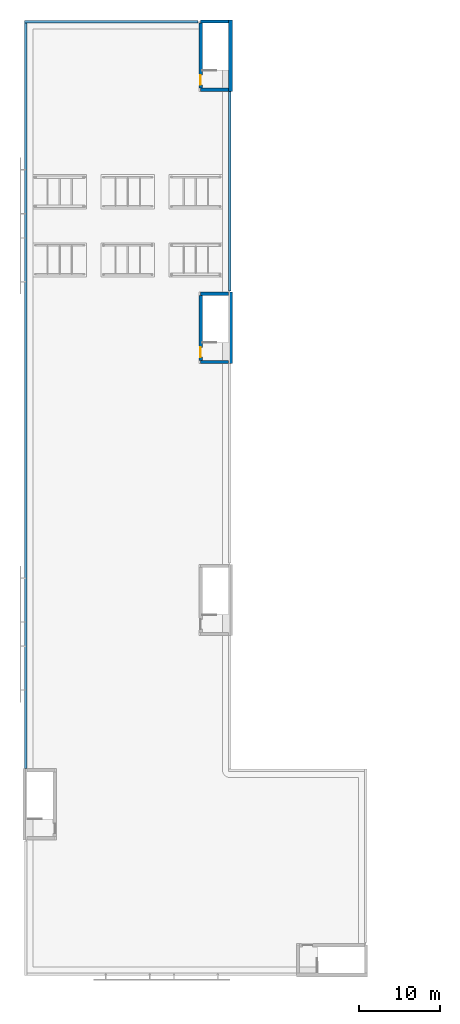
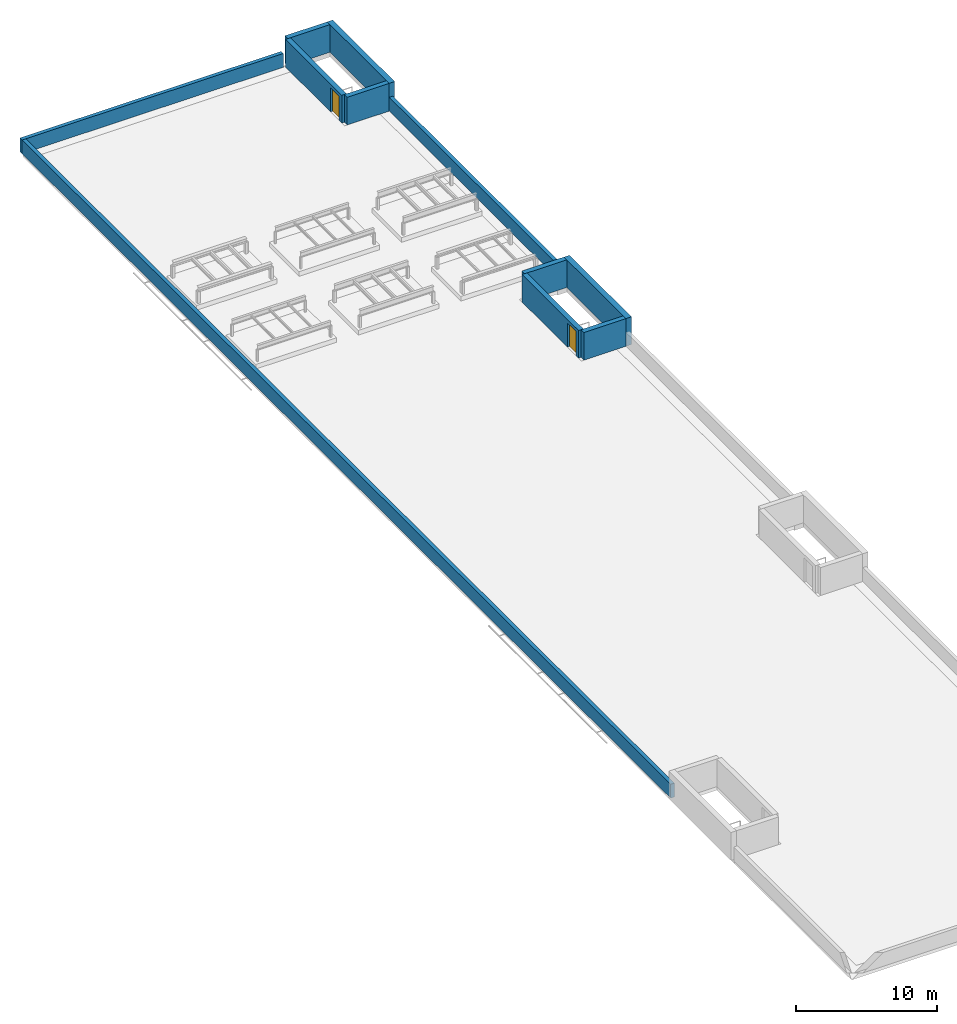
# One storey, part 12 of 18: 11 walls, 2 doors, 2 openings.
"""IFC4 building model written with IfcOpenShell, lengths in metres."""

from ifc_helpers import new_model, si_unit, direction, frame, frame_2d, origin, place, context, subcontext, project, spatial, rectangle, extrude, material, layer, layer_set, type_object, element, fill, save


model = new_model("IFC4")

# Units and contexts
model_context = context("Model", 3, precision=1e-05, world=origin(), true_north=direction((0.0, 1.0)))
body_context = subcontext(model_context, "Body", "Model", "MODEL_VIEW")
ifc_project = project(units=[si_unit("LENGTHUNIT", "METRE"), si_unit("AREAUNIT", "SQUARE_METRE"), si_unit("VOLUMEUNIT", "CUBIC_METRE"), si_unit("PLANEANGLEUNIT", "RADIAN"), si_unit("MASSUNIT", "GRAM", prefix="KILO")], contexts=[model_context])

# Site, building, storey
site_placement = place(None, origin())
site = spatial("IfcSite", under=ifc_project, at=site_placement, CompositionType="ELEMENT")
building_placement = place(site_placement, origin())
building = spatial("IfcBuilding", under=site, at=building_placement, Name="Yavir Park General Hospital", CompositionType="ELEMENT")
storey_placement = place(building_placement, frame((0.0, 0.0, 29.699951171875)))
storey = spatial("IfcBuildingStorey", under=building, at=storey_placement, Name="RF", CompositionType="ELEMENT", Elevation=29.699951171875)

# Walls
ifc_material_1 = material(Name="Concrete C35/45", Category="concrete")
ifc_layer_1 = layer(ifc_material_1, 0.39990234375)
ifc_layer_set_1 = layer_set([ifc_layer_1], Name="Concrete C35/45")
wall_type_1 = type_object("IfcWallType", Name="Reinforced concrete core wall 400, REI 150", PredefinedType="SHEAR", material=ifc_layer_set_1)
for number, where, z_axis, x_axis, name in (
    (1, (25.050048828125, 75.60009765625, 0.0), (0.0, 0.0, 1.0), (-1.0, 0.0, 0.0), "Head-house end wall SW2 E1"),
    (2, (25.050048828125, 84.0, 0.0), (0.0, 0.0, 1.0), (-1.0, 0.0, 0.0), "Head-house end wall SW2 E2"),
):
    element("IfcWall", number, at=place(storey_placement, frame(where, z_axis=z_axis, x_axis=x_axis)), inside=storey, type_object=wall_type_1, Name=name, PredefinedType="SHEAR", context=body_context, shape_type="SweptSolid", body=[
        extrude(rectangle(XDim=3.449951171875, YDim=0.39990234375, at=frame_2d((1.72509765625, 0.0))), origin(), (0.0, 0.0, 1.0), 2.400146484375),
    ])

# Wall, opening, door
wall_1_placement = place(storey_placement, frame((21.60009765625, 75.800048828125, 0.0), z_axis=(0.0, 0.0, 1.0), x_axis=(0.0, 1.0, 0.0)))
wall_1 = element("IfcWall", 3, at=wall_1_placement, inside=storey, type_object=wall_type_1, Name="Head-house landing wall SW2", PredefinedType="SHEAR", context=body_context, shape_type="SweptSolid", body=[
    extrude(rectangle(XDim=8.0, YDim=0.39990234375, at=frame_2d((4.0, 0.0))), origin(), (0.0, 0.0, 1.0), 2.400146484375),
])
opening_1_placement = place(wall_1_placement, frame((0.39990234375, 0.0, 0.0)))
opening_1 = element("IfcOpeningElement", 4, at=opening_1_placement, cuts=wall_1, Name="Opening RF.X07", PredefinedType="OPENING", context=body_context, shape_type="SweptSolid", body=[
    extrude(rectangle(XDim=1.199951171875, YDim=2.10009765625, at=frame_2d((0.60009765625, 1.050048828125))), frame((0.0, 0.2099609375, 0.0), z_axis=(0.0, -1.0, 0.0), x_axis=(1.0, 0.0, 0.0)), (0.0, 0.0, 1.0), 0.419921875),
])
ifc_material_2 = material(Name="Steel frame, fire-resisting timber leaf", Category="steel")
door_type = type_object("IfcDoorType", Name="Fire door 1200 x 2100, EI 60", OperationType="SINGLE_SWING_LEFT", PredefinedType="DOOR", material=ifc_material_2)
door_1_placement = place(opening_1_placement, origin())
door_1 = element("IfcDoor", 5, at=door_1_placement, inside=storey, type_object=door_type, Name="RF.X07", OperationType="SINGLE_SWING_RIGHT", OverallHeight=2.10009765625, OverallWidth=1.199951171875, PredefinedType="DOOR", context=body_context, shape_type="SweptSolid", body=[
    extrude(rectangle(XDim=1.199951171875, YDim=2.10009765625, at=frame_2d((0.60009765625, 1.050048828125))), frame((0.0, 0.02490234375, 0.0), z_axis=(0.0, -1.0, 0.0), x_axis=(1.0, 0.0, 0.0)), (0.0, 0.0, 1.0), 0.050048828125),
])
fill(opening_1, door_1)

# Walls
for number, where, z_axis, x_axis, name in (
    (6, (25.050048828125, 109.199951171875, 0.0), (0.0, 0.0, 1.0), (-1.0, 0.0, 0.0), "Head-house end wall SW3 E1"),
    (7, (25.050048828125, 117.60009765625, 0.0), (0.0, 0.0, 1.0), (-1.0, 0.0, 0.0), "Head-house end wall SW3 E2"),
):
    element("IfcWall", number, at=place(storey_placement, frame(where, z_axis=z_axis, x_axis=x_axis)), inside=storey, type_object=wall_type_1, Name=name, PredefinedType="SHEAR", context=body_context, shape_type="SweptSolid", body=[
        extrude(rectangle(XDim=3.449951171875, YDim=0.39990234375, at=frame_2d((1.72509765625, 0.0))), origin(), (0.0, 0.0, 1.0), 2.400146484375),
    ])

# Wall, opening, door
wall_2_placement = place(storey_placement, frame((21.60009765625, 109.39990234375, 0.0), z_axis=(0.0, 0.0, 1.0), x_axis=(0.0, 1.0, 0.0)))
wall_2 = element("IfcWall", 8, at=wall_2_placement, inside=storey, type_object=wall_type_1, Name="Head-house landing wall SW3", PredefinedType="SHEAR", context=body_context, shape_type="SweptSolid", body=[
    extrude(rectangle(XDim=8.0, YDim=0.39990234375, at=frame_2d((4.0, 0.0))), origin(), (0.0, 0.0, 1.0), 2.400146484375),
])
opening_2_placement = place(wall_2_placement, frame((0.39990234375, 0.0, 0.0)))
opening_2 = element("IfcOpeningElement", 9, at=opening_2_placement, cuts=wall_2, Name="Opening RF.X08", PredefinedType="OPENING", context=body_context, shape_type="SweptSolid", body=[
    extrude(rectangle(XDim=1.199951171875, YDim=2.10009765625, at=frame_2d((0.60009765625, 1.050048828125))), frame((0.0, 0.2099609375, 0.0), z_axis=(0.0, -1.0, 0.0), x_axis=(1.0, 0.0, 0.0)), (0.0, 0.0, 1.0), 0.419921875),
])
door_2_placement = place(opening_2_placement, origin())
door_2 = element("IfcDoor", 10, at=door_2_placement, inside=storey, type_object=door_type, Name="RF.X08", OperationType="SINGLE_SWING_RIGHT", OverallHeight=2.10009765625, OverallWidth=1.199951171875, PredefinedType="DOOR", context=body_context, shape_type="SweptSolid", body=[
    extrude(rectangle(XDim=1.199951171875, YDim=2.10009765625, at=frame_2d((0.60009765625, 1.050048828125))), frame((0.0, 0.02490234375, 0.0), z_axis=(0.0, -1.0, 0.0), x_axis=(1.0, 0.0, 0.0)), (0.0, 0.0, 1.0), 0.050048828125),
])
fill(opening_2, door_2)

# Walls
ifc_material_3 = material(Name="Concrete C30/37", Category="concrete")
ifc_layer_2 = layer(ifc_material_3, 0.300048828125)
ifc_layer_set_2 = layer_set([ifc_layer_2], Name="Concrete C30/37")
wall_type_2 = type_object("IfcWallType", Name="Roof parapet 300 x 1200", PredefinedType="PARAPET", material=ifc_layer_set_2)
wall_3_placement = place(storey_placement, frame((25.199951171875, 84.35009765625, 0.0), z_axis=(0.0, 0.0, 1.0), x_axis=(0.0, 1.0, 0.0)))
element("IfcWall", 11, at=wall_3_placement, inside=storey, type_object=wall_type_2, Name="Parapet L060-0.2.0", PredefinedType="PARAPET", context=body_context, shape_type="SweptSolid", body=[
    extrude(rectangle(XDim=24.64990234375, YDim=0.300048828125, at=frame_2d((12.324951171875, 0.0))), origin(), (0.0, 0.0, 1.0), 1.199951171875),
])
wall_4_placement = place(storey_placement, frame((21.25, 117.60009765625, 0.0), z_axis=(0.0, 0.0, 1.0), x_axis=(-1.0, 0.0, 0.0)))
element("IfcWall", 12, at=wall_4_placement, inside=storey, type_object=wall_type_2, Name="Parapet L060-0.3.0", PredefinedType="PARAPET", context=body_context, shape_type="SweptSolid", body=[
    extrude(rectangle(XDim=21.39990234375, YDim=0.300048828125, at=frame_2d((10.699951171875, 0.0))), origin(), (0.0, 0.0, 1.0), 1.199951171875),
])
wall_5_placement = place(storey_placement, frame((0.0, 117.449951171875, 0.0), z_axis=(0.0, 0.0, 1.0), x_axis=(0.0, -1.0, 0.0)))
element("IfcWall", 13, at=wall_5_placement, inside=storey, type_object=wall_type_2, Name="Parapet L060-0.3.1", PredefinedType="PARAPET", context=body_context, shape_type="SweptSolid", body=[
    extrude(rectangle(XDim=92.050048828125, YDim=0.300048828125, at=frame_2d((46.02490234375, 0.0))), origin(), (0.0, 0.0, 1.0), 1.199951171875),
])
ifc_material_4 = material(Name="Concrete C30/37 precast panel with 150 mm mineral wool insulation", Category="concrete")
ifc_layer_3 = layer(ifc_material_4, 0.449951171875)
ifc_layer_set_3 = layer_set([ifc_layer_3], Name="Concrete C30/37 precast panel with 150 mm mineral wool insulation")
wall_type_3 = type_object("IfcWallType", Name="Stair enclosure wall 450, REI 150", PredefinedType="SOLIDWALL", material=ifc_layer_set_3)
for number, where, z_axis, x_axis, name in (
    (14, (25.27490234375, 75.39990234375, 0.0), (0.0, 0.0, 1.0), (0.0, 1.0, 0.0), "Head-house facade wall SW2"),
    (15, (25.27490234375, 109.0, 0.0), (0.0, 0.0, 1.0), (0.0, 1.0, 0.0), "Head-house facade wall SW3"),
):
    element("IfcWall", number, at=place(storey_placement, frame(where, z_axis=z_axis, x_axis=x_axis)), inside=storey, type_object=wall_type_3, Name=name, PredefinedType="SOLIDWALL", context=body_context, shape_type="SweptSolid", body=[
        extrude(rectangle(XDim=8.800048828125, YDim=0.449951171875, at=frame_2d((4.39990234375, 0.0))), origin(), (0.0, 0.0, 1.0), 2.400146484375),
    ])

save(model, "model.ifc")
